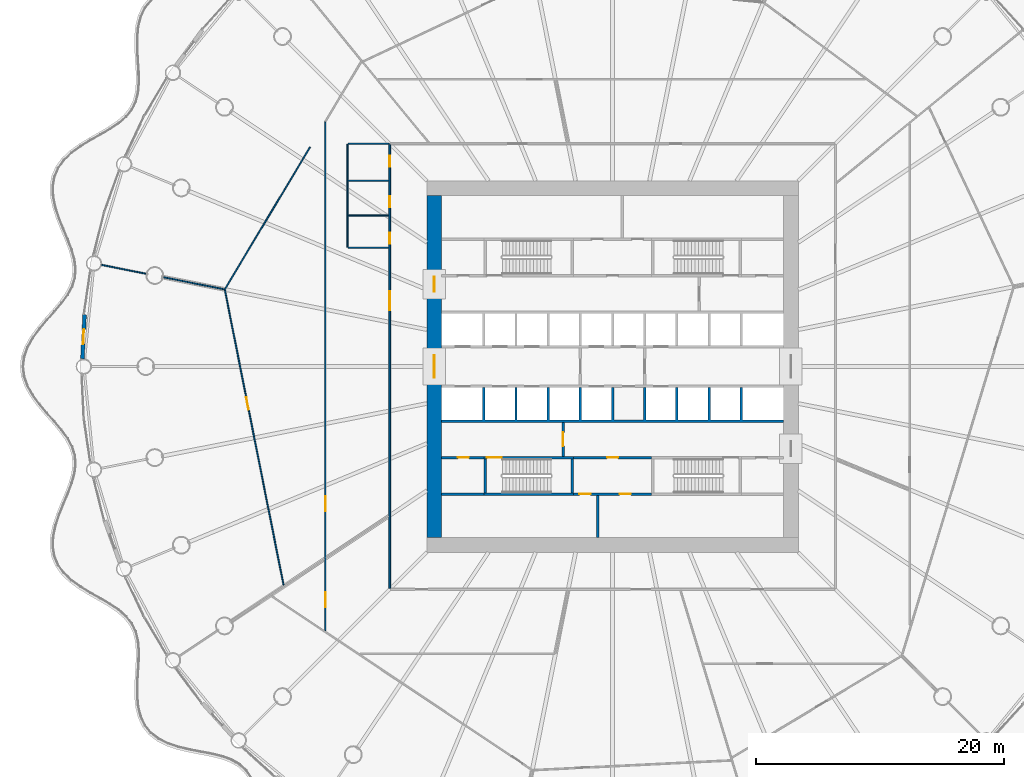
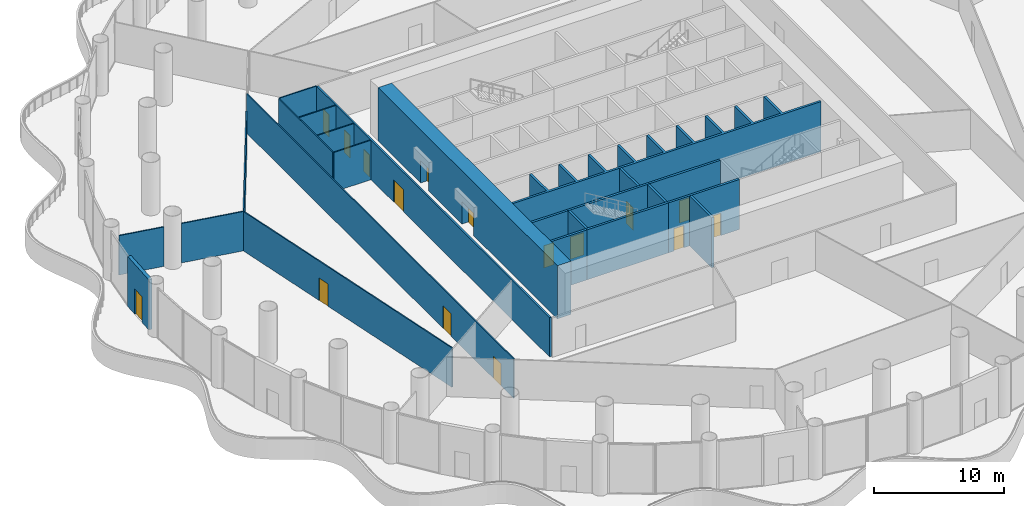
# One storey, part 23 of 35: 24 walls, 16 doors, 16 openings.
"""IFC4 building model written with IfcOpenShell, lengths in metres."""

from ifc_helpers import new_model, si_unit, direction, frame, frame_2d, origin, place, context, subcontext, project, spatial, polyline, rectangle, outline, extrude, material, layer, layer_set, type_object, element, fill, save


model = new_model("IFC4")

# Units and contexts
model_context = context("Model", 3, precision=1e-05, world=origin(), true_north=direction((0.0, 1.0)))
body_context = subcontext(model_context, "Body", "Model", "MODEL_VIEW")
ifc_project = project(units=[si_unit("LENGTHUNIT", "METRE"), si_unit("AREAUNIT", "SQUARE_METRE"), si_unit("VOLUMEUNIT", "CUBIC_METRE"), si_unit("PLANEANGLEUNIT", "RADIAN"), si_unit("MASSUNIT", "GRAM", prefix="KILO")], contexts=[model_context])

# Site, building, storey
site_placement = place(None, origin())
site = spatial("IfcSite", under=ifc_project, at=site_placement, CompositionType="ELEMENT")
building_placement = place(site_placement, origin())
building = spatial("IfcBuilding", under=site, at=building_placement, Name="Corvane Civic Tower", CompositionType="ELEMENT")
storey_placement = place(building_placement, frame((0.0, 0.0, 22.0)))
storey = spatial("IfcBuildingStorey", under=building, at=storey_placement, Name="L04", CompositionType="ELEMENT", Elevation=22.0)

# Wall, openings, doors
ifc_material_1 = material(Name="Concrete C80/95", Category="concrete")
ifc_layer_1 = layer(ifc_material_1, 1.199951171875)
ifc_layer_set_1 = layer_set([ifc_layer_1], Name="Concrete C80/95")
wall_type_1 = type_object("IfcWallType", Name="CORE WALL 1200 C80/95", PredefinedType="SHEAR", material=ifc_layer_set_1)
wall_1_placement = place(storey_placement, frame((-14.39990234375, -13.800048828125, 0.0), z_axis=(0.0, 0.0, 1.0), x_axis=(0.0, 1.0, 0.0)))
wall_1 = element("IfcWall", 1, at=wall_1_placement, inside=storey, type_object=wall_type_1, Name="W-L04-core-W", PredefinedType="SHEAR", context=body_context, shape_type="SweptSolid", body=[
    extrude(rectangle(XDim=27.60009765625, YDim=1.199951171875, at=frame_2d((13.800048828125, 0.0))), origin(), (0.0, 0.0, 1.0), 5.0),
])
opening_1_placement = place(wall_1_placement, frame((12.89990234375, 0.0, 0.0)))
opening_1 = element("IfcOpeningElement", 2, at=opening_1_placement, cuts=wall_1, Name="Opening L04.C20", PredefinedType="OPENING", context=body_context, shape_type="SweptSolid", body=[
    extrude(rectangle(XDim=1.800048828125, YDim=2.10009765625, at=frame_2d((0.89990234375, 1.050048828125))), frame((0.0, 0.60986328125, 0.0), z_axis=(0.0, -1.0, 0.0), x_axis=(1.0, 0.0, 0.0)), (0.0, 0.0, 1.0), 1.219970703125),
])
opening_2_placement = place(wall_1_placement, frame((19.85009765625, 0.0, 0.0)))
opening_2 = element("IfcOpeningElement", 3, at=opening_2_placement, cuts=wall_1, Name="Opening L04.C22", PredefinedType="OPENING", context=body_context, shape_type="SweptSolid", body=[
    extrude(rectangle(XDim=1.199951171875, YDim=2.10009765625, at=frame_2d((0.60009765625, 1.050048828125))), frame((0.0, 0.60986328125, 0.0), z_axis=(0.0, -1.0, 0.0), x_axis=(1.0, 0.0, 0.0)), (0.0, 0.0, 1.0), 1.219970703125),
])
ifc_material_2 = material(Name="Steel fire door leaf", Category="steel")
door_type_1 = type_object("IfcDoorType", Name="CR-DOOR-CORE-1800", OperationType="DOUBLE_DOOR_SINGLE_SWING", PredefinedType="DOOR", material=ifc_material_2)
door_1_placement = place(opening_1_placement, origin())
door_1 = element("IfcDoor", 4, at=door_1_placement, inside=storey, type_object=door_type_1, Name="L04 door", OperationType="DOUBLE_DOOR_SINGLE_SWING", OverallHeight=2.10009765625, OverallWidth=1.800048828125, PredefinedType="DOOR", context=body_context, shape_type="SweptSolid", body=[
    extrude(rectangle(XDim=1.800048828125, YDim=2.10009765625, at=frame_2d((0.89990234375, 1.050048828125))), frame((0.0, 0.02490234375, 0.0), z_axis=(0.0, -1.0, 0.0), x_axis=(1.0, 0.0, 0.0)), (0.0, 0.0, 1.0), 0.050048828125),
])
fill(opening_1, door_1)
door_2_placement = place(opening_2_placement, origin())
door_2 = element("IfcDoor", 5, at=door_2_placement, inside=storey, type_object=door_type_1, Name="L04 door", OperationType="DOUBLE_DOOR_SINGLE_SWING", OverallHeight=2.10009765625, OverallWidth=1.199951171875, PredefinedType="DOOR", context=body_context, shape_type="SweptSolid", body=[
    extrude(rectangle(XDim=1.199951171875, YDim=2.10009765625, at=frame_2d((0.60009765625, 1.050048828125))), frame((0.0, 0.02490234375, 0.0), z_axis=(0.0, -1.0, 0.0), x_axis=(1.0, 0.0, 0.0)), (0.0, 0.0, 1.0), 0.050048828125),
])
fill(opening_2, door_2)

ifc_material_3 = material(Name="Concrete C30/37", Category="concrete")
ifc_layer_2 = layer(ifc_material_3, 0.199951171875)
ifc_layer_set_2 = layer_set([ifc_layer_2], Name="Concrete C30/37")
wall_type_2 = type_object("IfcWallType", Name="CR-WALL-200", PredefinedType="PARTITIONING", material=ifc_layer_set_2)
wall_2_placement = place(storey_placement, frame((-3.14990234375, -10.300048828125, 0.0), z_axis=(0.0, 0.0, 1.0), x_axis=(1.0, 0.0, 0.0)))
wall_2 = element("IfcWall", 6, at=wall_2_placement, inside=storey, type_object=wall_type_2, Name="L04 partition wall", PredefinedType="PARTITIONING", context=body_context, shape_type="SweptSolid", body=[
    extrude(rectangle(XDim=6.2998046875, YDim=0.199951171875, at=frame_2d((3.14990234375, 0.0))), origin(), (0.0, 0.0, 1.0), 4.699951171875),
])
opening_3_placement = place(wall_2_placement, frame((0.47509765625, 0.0, 0.0)))
opening_3 = element("IfcOpeningElement", 7, at=opening_3_placement, cuts=wall_2, Name="Opening L04.C06", PredefinedType="OPENING", context=body_context, shape_type="SweptSolid", body=[
    extrude(rectangle(XDim=0.89990234375, YDim=2.10009765625, at=frame_2d((0.449951171875, 1.050048828125))), frame((0.0, 0.10986328125, 0.0), z_axis=(0.0, -1.0, 0.0), x_axis=(1.0, 0.0, 0.0)), (0.0, 0.0, 1.0), 0.219970703125),
])
opening_4_placement = place(wall_2_placement, frame((3.72509765625, 0.0, 0.0)))
opening_4 = element("IfcOpeningElement", 8, at=opening_4_placement, cuts=wall_2, Name="Opening L04.C07", PredefinedType="OPENING", context=body_context, shape_type="SweptSolid", body=[
    extrude(rectangle(XDim=0.89990234375, YDim=2.10009765625, at=frame_2d((0.449951171875, 1.050048828125))), frame((0.0, 0.10986328125, 0.0), z_axis=(0.0, -1.0, 0.0), x_axis=(1.0, 0.0, 0.0)), (0.0, 0.0, 1.0), 0.219970703125),
])
ifc_material_4 = material(Name="Steel fire door leaf", Category="steel")
door_type_2 = type_object("IfcDoorType", Name="CR-DOOR-900", OperationType="SINGLE_SWING_LEFT", PredefinedType="DOOR", material=ifc_material_4)
door_3_placement = place(opening_3_placement, origin())
door_3 = element("IfcDoor", 9, at=door_3_placement, inside=storey, type_object=door_type_2, Name="L04 door", OperationType="SINGLE_SWING_LEFT", OverallHeight=2.10009765625, OverallWidth=0.89990234375, PredefinedType="DOOR", context=body_context, shape_type="SweptSolid", body=[
    extrude(rectangle(XDim=0.89990234375, YDim=2.10009765625, at=frame_2d((0.449951171875, 1.050048828125))), frame((0.0, 0.02490234375, 0.0), z_axis=(0.0, -1.0, 0.0), x_axis=(1.0, 0.0, 0.0)), (0.0, 0.0, 1.0), 0.050048828125),
])
fill(opening_3, door_3)
door_4_placement = place(opening_4_placement, origin())
door_4 = element("IfcDoor", 10, at=door_4_placement, inside=storey, type_object=door_type_2, Name="L04 door", OperationType="SINGLE_SWING_LEFT", OverallHeight=2.10009765625, OverallWidth=0.89990234375, PredefinedType="DOOR", context=body_context, shape_type="SweptSolid", body=[
    extrude(rectangle(XDim=0.89990234375, YDim=2.10009765625, at=frame_2d((0.449951171875, 1.050048828125))), frame((0.0, 0.02490234375, 0.0), z_axis=(0.0, -1.0, 0.0), x_axis=(1.0, 0.0, 0.0)), (0.0, 0.0, 1.0), 0.050048828125),
])
fill(opening_4, door_4)

# Wall, opening, door
wall_3_placement = place(storey_placement, frame((-13.800048828125, -7.35009765625, 0.0), z_axis=(0.0, 0.0, 1.0), x_axis=(1.0, 0.0, 0.0)))
wall_3 = element("IfcWall", 11, at=wall_3_placement, inside=storey, type_object=wall_type_2, Name="L04 core partition wall", PredefinedType="PARTITIONING", context=body_context, shape_type="SweptSolid", body=[
    extrude(rectangle(XDim=3.400146484375, YDim=0.199951171875, at=frame_2d((1.7001953125, 0.0))), origin(), (0.0, 0.0, 1.0), 4.699951171875),
])
opening_5_placement = place(wall_3_placement, frame((1.300048828125, 0.0, 0.0)))
opening_5 = element("IfcOpeningElement", 12, at=opening_5_placement, cuts=wall_3, Name="Opening L04.C09", PredefinedType="OPENING", context=body_context, shape_type="SweptSolid", body=[
    extrude(rectangle(XDim=0.89990234375, YDim=2.10009765625, at=frame_2d((0.449951171875, 1.050048828125))), frame((0.0, 0.10986328125, 0.0), z_axis=(0.0, -1.0, 0.0), x_axis=(1.0, 0.0, 0.0)), (0.0, 0.0, 1.0), 0.219970703125),
])
door_5_placement = place(opening_5_placement, origin())
door_5 = element("IfcDoor", 13, at=door_5_placement, inside=storey, type_object=door_type_2, Name="L04 door", OperationType="SINGLE_SWING_LEFT", OverallHeight=2.10009765625, OverallWidth=0.89990234375, PredefinedType="DOOR", context=body_context, shape_type="SweptSolid", body=[
    extrude(rectangle(XDim=0.89990234375, YDim=2.10009765625, at=frame_2d((0.449951171875, 1.050048828125))), frame((0.0, 0.02490234375, 0.0), z_axis=(0.0, -1.0, 0.0), x_axis=(1.0, 0.0, 0.0)), (0.0, 0.0, 1.0), 0.050048828125),
])
fill(opening_5, door_5)

wall_4_placement = place(storey_placement, frame((-3.14990234375, -7.35009765625, 0.0), z_axis=(0.0, 0.0, 1.0), x_axis=(1.0, 0.0, 0.0)))
wall_4 = element("IfcWall", 14, at=wall_4_placement, inside=storey, type_object=wall_type_2, Name="L04 core partition wall", PredefinedType="PARTITIONING", context=body_context, shape_type="SweptSolid", body=[
    extrude(rectangle(XDim=6.2998046875, YDim=0.199951171875, at=frame_2d((3.14990234375, 0.0))), origin(), (0.0, 0.0, 1.0), 4.699951171875),
])
opening_6_placement = place(wall_4_placement, frame((2.699951171875, 0.0, 0.0)))
opening_6 = element("IfcOpeningElement", 15, at=opening_6_placement, cuts=wall_4, Name="Opening L04.C03", PredefinedType="OPENING", context=body_context, shape_type="SweptSolid", body=[
    extrude(rectangle(XDim=0.89990234375, YDim=2.10009765625, at=frame_2d((0.449951171875, 1.050048828125))), frame((0.0, 0.10986328125, 0.0), z_axis=(0.0, -1.0, 0.0), x_axis=(1.0, 0.0, 0.0)), (0.0, 0.0, 1.0), 0.219970703125),
])
door_6_placement = place(opening_6_placement, origin())
door_6 = element("IfcDoor", 16, at=door_6_placement, inside=storey, type_object=door_type_2, Name="L04 door", OperationType="SINGLE_SWING_LEFT", OverallHeight=2.10009765625, OverallWidth=0.89990234375, PredefinedType="DOOR", context=body_context, shape_type="SweptSolid", body=[
    extrude(rectangle(XDim=0.89990234375, YDim=2.10009765625, at=frame_2d((0.449951171875, 1.050048828125))), frame((0.0, 0.02490234375, 0.0), z_axis=(0.0, -1.0, 0.0), x_axis=(1.0, 0.0, 0.0)), (0.0, 0.0, 1.0), 0.050048828125),
])
fill(opening_6, door_6)

wall_5_placement = place(storey_placement, frame((-4.0, -7.25, 0.0), z_axis=(0.0, 0.0, 1.0), x_axis=(0.0, 1.0, 0.0)))
wall_5 = element("IfcWall", 17, at=wall_5_placement, inside=storey, type_object=wall_type_2, Name="L04 core partition wall", PredefinedType="PARTITIONING", context=body_context, shape_type="SweptSolid", body=[
    extrude(rectangle(XDim=2.75, YDim=0.199951171875, at=frame_2d((1.375, 0.0))), origin(), (0.0, 0.0, 1.0), 4.699951171875),
])
opening_7_placement = place(wall_5_placement, frame((0.824951171875, 0.0, 0.0)))
opening_7 = element("IfcOpeningElement", 18, at=opening_7_placement, cuts=wall_5, Name="Opening L04.C19", PredefinedType="OPENING", context=body_context, shape_type="SweptSolid", body=[
    extrude(rectangle(XDim=1.10009765625, YDim=2.10009765625, at=frame_2d((0.550048828125, 1.050048828125))), frame((0.0, 0.10986328125, 0.0), z_axis=(0.0, -1.0, 0.0), x_axis=(1.0, 0.0, 0.0)), (0.0, 0.0, 1.0), 0.219970703125),
])
ifc_material_5 = material(Name="Steel fire door leaf", Category="steel")
door_type_3 = type_object("IfcDoorType", Name="CR-DOOR-FFL-1100", OperationType="SINGLE_SWING_LEFT", PredefinedType="DOOR", material=ifc_material_5)
door_7_placement = place(opening_7_placement, origin())
door_7 = element("IfcDoor", 19, at=door_7_placement, inside=storey, type_object=door_type_3, Name="L04 lobby door", OperationType="SINGLE_SWING_LEFT", OverallHeight=2.10009765625, OverallWidth=1.10009765625, PredefinedType="DOOR", context=body_context, shape_type="SweptSolid", body=[
    extrude(rectangle(XDim=1.10009765625, YDim=2.10009765625, at=frame_2d((0.550048828125, 1.050048828125))), frame((0.0, 0.02490234375, 0.0), z_axis=(0.0, -1.0, 0.0), x_axis=(1.0, 0.0, 0.0)), (0.0, 0.0, 1.0), 0.050048828125),
])
fill(opening_7, door_7)

# Walls
wall_6_placement = place(storey_placement, origin())
element("IfcWall", 20, at=wall_6_placement, inside=storey, type_object=wall_type_2, Name="L04 core partition wall", PredefinedType="PARTITIONING", context=body_context, shape_type="SweptSolid", body=[
    extrude(outline(polyline([(-10.39990234375, -10.39990234375), (-13.800048828125, -10.39990234375), (-13.800048828125, -10.199951171875), (-10.39990234375, -10.199951171875), (-10.39990234375, -10.39990234375)])), origin(), (0.0, 0.0, 1.0), 4.699951171875),
])
wall_7_placement = place(storey_placement, origin())
element("IfcWall", 21, at=wall_7_placement, inside=storey, type_object=wall_type_2, Name="L04 core partition wall", PredefinedType="PARTITIONING", context=body_context, shape_type="SweptSolid", body=[
    extrude(outline(polyline([(-1.10009765625, -10.39990234375), (-1.10009765625, -13.800048828125), (-1.300048828125, -13.800048828125), (-1.300048828125, -10.39990234375), (-1.10009765625, -10.39990234375)])), origin(), (0.0, 0.0, 1.0), 4.699951171875),
])
wall_8_placement = place(storey_placement, origin())
element("IfcWall", 22, at=wall_8_placement, inside=storey, type_object=wall_type_2, Name="L04 core partition wall", PredefinedType="PARTITIONING", context=body_context, shape_type="SweptSolid", body=[
    extrude(outline(polyline([(-10.5, -1.699951171875), (-10.300048828125, -1.699951171875), (-10.300048828125, -4.300048828125), (-7.89990234375, -4.300048828125), (-7.89990234375, -1.699951171875), (-7.699951171875, -1.699951171875), (-7.699951171875, -4.300048828125), (-5.300048828125, -4.300048828125), (-5.300048828125, -1.699951171875), (-5.10009765625, -1.699951171875), (-5.10009765625, -4.300048828125), (-2.699951171875, -4.300048828125), (-2.699951171875, -1.699951171875), (-2.5, -1.699951171875), (-2.5, -4.300048828125), (-0.10009765625, -4.300048828125), (-0.10009765625, -1.699951171875), (0.10009765625, -1.699951171875), (0.10009765625, -4.300048828125), (2.5, -4.300048828125), (2.5, -1.699951171875), (2.699951171875, -1.699951171875), (2.699951171875, -4.300048828125), (5.10009765625, -4.300048828125), (5.10009765625, -1.699951171875), (5.300048828125, -1.699951171875), (5.300048828125, -4.300048828125), (7.699951171875, -4.300048828125), (7.699951171875, -1.699951171875), (7.89990234375, -1.699951171875), (7.89990234375, -4.300048828125), (10.300048828125, -4.300048828125), (10.300048828125, -1.699951171875), (10.5, -1.699951171875), (10.5, -4.300048828125), (13.800048828125, -4.300048828125), (13.800048828125, -4.5), (-13.800048828125, -4.5), (-13.800048828125, -4.300048828125), (-10.5, -4.300048828125), (-10.5, -1.699951171875)])), origin(), (0.0, 0.0, 1.0), 4.699951171875),
])

# Wall, opening, door
ifc_material_6 = material(Name="Terracotta cladding", Category="masonry")
ifc_layer_3 = layer(ifc_material_6, 0.300048828125)
ifc_layer_set_3 = layer_set([ifc_layer_3], Name="Terracotta cladding")
wall_type_3 = type_object("IfcWallType", Name="PODIUM-W-DRUMDOOR-300", PredefinedType="SOLIDWALL", material=ifc_layer_set_3)
wall_9_placement = place(storey_placement, frame((-42.81884765625, 0.6318359375, 0.0), z_axis=(0.0, 0.0, 1.0), x_axis=(0.049103014495, 0.998793719427, 0.0)))
wall_9 = element("IfcWall", 23, at=wall_9_placement, inside=storey, type_object=wall_type_3, Name="L04 drum door bay wall 25", PredefinedType="SOLIDWALL", context=body_context, shape_type="SweptSolid", body=[
    extrude(rectangle(XDim=3.56005859375, YDim=0.300048828125, at=frame_2d((1.780029296875, 0.0))), origin(), (0.0, 0.0, 1.0), 4.699951171875),
])
opening_8_placement = place(wall_9_placement, frame((1.179931640625, 0.0, 0.0)))
opening_8 = element("IfcOpeningElement", 24, at=opening_8_placement, cuts=wall_9, Name="Opening ED-L04-25", PredefinedType="OPENING", context=body_context, shape_type="SweptSolid", body=[
    extrude(rectangle(XDim=1.199951171875, YDim=2.39990234375, at=frame_2d((0.60009765625, 1.199951171875))), frame((0.0, 0.159912109375, 0.0), z_axis=(0.0, -1.0, 0.0), x_axis=(1.0, 0.0, 0.0)), (0.0, 0.0, 1.0), 0.320068359375),
])
ifc_material_7 = material(Name="Anodised aluminium and glass", Category="aluminium")
door_type_4 = type_object("IfcDoorType", Name="PODIUM-D-BALCONY-1200", OperationType="SINGLE_SWING_LEFT", PredefinedType="DOOR", material=ifc_material_7)
door_8_placement = place(opening_8_placement, origin())
door_8 = element("IfcDoor", 25, at=door_8_placement, inside=storey, type_object=door_type_4, Name="L04 balcony door 25", OperationType="SINGLE_SWING_LEFT", OverallHeight=2.39990234375, OverallWidth=1.199951171875, PredefinedType="DOOR", context=body_context, shape_type="SweptSolid", body=[
    extrude(rectangle(XDim=1.199951171875, YDim=2.39990234375, at=frame_2d((0.60009765625, 1.199951171875))), frame((0.0, 0.02490234375, 0.0), z_axis=(0.0, -1.0, 0.0), x_axis=(1.0, 0.0, 0.0)), (0.0, 0.0, 1.0), 0.050048828125),
])
fill(opening_8, door_8)

# Wall, openings, doors
ifc_material_8 = material(Name="Plasterboard")
ifc_layer_4 = layer(ifc_material_8, 0.10009765625)
ifc_layer_set_4 = layer_set([ifc_layer_4], Name="Plasterboard")
wall_type_4 = type_object("IfcWallType", Name="Partition 100 plasterboard on studs", PredefinedType="PARTITIONING", material=ifc_layer_set_4)
wall_10_placement = place(storey_placement, frame((-23.199951171875, -21.33740234375, 0.0), z_axis=(0.0, 0.0, 1.0), x_axis=(0.0, 1.0, 0.0)))
wall_10 = element("IfcWall", 26, at=wall_10_placement, inside=storey, type_object=wall_type_4, Name="Partition L04.014", PredefinedType="PARTITIONING", context=body_context, shape_type="SweptSolid", body=[
    extrude(rectangle(XDim=41.10693359375, YDim=0.10009765625, at=frame_2d((20.553466796875, 0.0))), origin(), (0.0, 0.0, 1.0), 3.699951171875),
])
opening_9_placement = place(wall_10_placement, frame((9.651611328125, 0.0, 0.0)))
opening_9 = element("IfcOpeningElement", 27, at=opening_9_placement, cuts=wall_10, Name="Opening L04.002", PredefinedType="OPENING", context=body_context, shape_type="SweptSolid", body=[
    extrude(rectangle(XDim=1.199951171875, YDim=2.10009765625, at=frame_2d((0.60009765625, 1.050048828125))), frame((0.0, 0.06005859375, 0.0), z_axis=(0.0, -1.0, 0.0), x_axis=(1.0, 0.0, 0.0)), (0.0, 0.0, 1.0), 0.1201171875),
])
opening_10_placement = place(wall_10_placement, frame((1.916015625, 0.0, 0.0)))
opening_10 = element("IfcOpeningElement", 28, at=opening_10_placement, cuts=wall_10, Name="Opening L04.023", PredefinedType="OPENING", context=body_context, shape_type="SweptSolid", body=[
    extrude(rectangle(XDim=1.199951171875, YDim=2.10009765625, at=frame_2d((0.60009765625, 1.050048828125))), frame((0.0, 0.06005859375, 0.0), z_axis=(0.0, -1.0, 0.0), x_axis=(1.0, 0.0, 0.0)), (0.0, 0.0, 1.0), 0.1201171875),
])
ifc_material_9 = material(Name="Timber", Category="wood")
door_type_5 = type_object("IfcDoorType", Name="Double door 1200", OperationType="NOTDEFINED", PredefinedType="DOOR", material=ifc_material_9)
door_9_placement = place(opening_9_placement, origin())
door_9 = element("IfcDoor", 29, at=door_9_placement, inside=storey, type_object=door_type_5, Name="Door L04.002", OperationType="DOUBLE_DOOR_SINGLE_SWING", OverallHeight=2.10009765625, OverallWidth=1.199951171875, PredefinedType="DOOR", context=body_context, shape_type="SweptSolid", body=[
    extrude(rectangle(XDim=1.199951171875, YDim=2.10009765625, at=frame_2d((0.60009765625, 1.050048828125))), frame((0.0, 0.02490234375, 0.0), z_axis=(0.0, -1.0, 0.0), x_axis=(1.0, 0.0, 0.0)), (0.0, 0.0, 1.0), 0.050048828125),
])
fill(opening_9, door_9)
door_10_placement = place(opening_10_placement, origin())
door_10 = element("IfcDoor", 30, at=door_10_placement, inside=storey, type_object=door_type_5, Name="Door L04.023", OperationType="DOUBLE_DOOR_SINGLE_SWING", OverallHeight=2.10009765625, OverallWidth=1.199951171875, PredefinedType="DOOR", context=body_context, shape_type="SweptSolid", body=[
    extrude(rectangle(XDim=1.199951171875, YDim=2.10009765625, at=frame_2d((0.60009765625, 1.050048828125))), frame((0.0, 0.02490234375, 0.0), z_axis=(0.0, -1.0, 0.0), x_axis=(1.0, 0.0, 0.0)), (0.0, 0.0, 1.0), 0.050048828125),
])
fill(opening_10, door_10)

# Wall, opening, door
wall_11_placement = place(storey_placement, frame((-31.316650390625, 6.19775390625, 0.0), z_axis=(0.0, 0.0, 1.0), x_axis=(0.195079987606, -0.980787335989, 0.0)))
wall_11 = element("IfcWall", 31, at=wall_11_placement, inside=storey, type_object=wall_type_4, Name="Partition L04.021", PredefinedType="PARTITIONING", context=body_context, shape_type="SweptSolid", body=[
    extrude(rectangle(XDim=24.335205078125, YDim=0.10009765625, at=frame_2d((12.16748046875, 0.0))), origin(), (0.0, 0.0, 1.0), 3.699951171875),
])
opening_11_placement = place(wall_11_placement, frame((8.855712890625, 0.0, 0.0)))
opening_11 = element("IfcOpeningElement", 32, at=opening_11_placement, cuts=wall_11, Name="Opening L04.001", PredefinedType="OPENING", context=body_context, shape_type="SweptSolid", body=[
    extrude(rectangle(XDim=1.0, YDim=2.10009765625, at=frame_2d((0.5, 1.050048828125))), frame((0.0, 0.06005859375, 0.0), z_axis=(0.0, -1.0, 0.0), x_axis=(1.0, 0.0, 0.0)), (0.0, 0.0, 1.0), 0.1201171875),
])
ifc_material_10 = material(Name="Timber", Category="wood")
door_type_6 = type_object("IfcDoorType", Name="Single door 1000", OperationType="NOTDEFINED", PredefinedType="DOOR", material=ifc_material_10)
door_11_placement = place(opening_11_placement, frame((1.0, 0.0, 0.0), z_axis=(0.0, 0.0, 1.0), x_axis=(-1.0, 0.0, 0.0)))
door_11 = element("IfcDoor", 33, at=door_11_placement, inside=storey, type_object=door_type_6, Name="Door L04.001", OperationType="SINGLE_SWING_LEFT", OverallHeight=2.10009765625, OverallWidth=1.0, PredefinedType="DOOR", context=body_context, shape_type="SweptSolid", body=[
    extrude(rectangle(XDim=1.0, YDim=2.10009765625, at=frame_2d((0.5, 1.050048828125))), frame((0.0, 0.02490234375, 0.0), z_axis=(0.0, -1.0, 0.0), x_axis=(1.0, 0.0, 0.0)), (0.0, 0.0, 1.0), 0.050048828125),
])
fill(opening_11, door_11)

# Walls
wall_12_placement = place(storey_placement, frame((-36.279296875, 7.21630859375, 0.0), z_axis=(0.0, 0.0, 1.0), x_axis=(0.980787763181, -0.195077839835, 0.0)))
element("IfcWall", 34, at=wall_12_placement, inside=storey, type_object=wall_type_4, Name="Partition L04.024", PredefinedType="PARTITIONING", context=body_context, shape_type="SweptSolid", body=[
    extrude(rectangle(XDim=5.019775390625, YDim=0.10009765625, at=frame_2d((2.509765625, 0.0))), origin(), (0.0, 0.0, 1.0), 3.699951171875),
])
wall_13_placement = place(storey_placement, frame((-41.281494140625, 8.21142578125, 0.0), z_axis=(0.0, 0.0, 1.0), x_axis=(0.980784256727, -0.195095468315, 0.0)))
element("IfcWall", 35, at=wall_13_placement, inside=storey, type_object=wall_type_4, Name="Partition L04.027", PredefinedType="PARTITIONING", context=body_context, shape_type="SweptSolid", body=[
    extrude(rectangle(XDim=3.680419921875, YDim=0.10009765625, at=frame_2d((1.84033203125, 0.0))), origin(), (0.0, 0.0, 1.0), 3.699951171875),
])
wall_14_placement = place(storey_placement, frame((-21.35009765625, 9.60009765625, 0.0), z_axis=(0.0, 0.0, 1.0), x_axis=(1.0, 0.0, 0.0)))
element("IfcWall", 36, at=wall_14_placement, inside=storey, type_object=wall_type_4, Name="Partition L04.029", PredefinedType="PARTITIONING", context=body_context, shape_type="SweptSolid", body=[
    extrude(rectangle(XDim=3.275146484375, YDim=0.10009765625, at=frame_2d((1.6376953125, 0.0))), origin(), (0.0, 0.0, 1.0), 3.699951171875),
])
wall_15_placement = place(storey_placement, frame((-21.39990234375, 9.64990234375, 0.0), z_axis=(0.0, 0.0, 1.0), x_axis=(0.0, 1.0, 0.0)))
element("IfcWall", 37, at=wall_15_placement, inside=storey, type_object=wall_type_4, Name="Partition L04.030", PredefinedType="PARTITIONING", context=body_context, shape_type="SweptSolid", body=[
    extrude(rectangle(XDim=8.300048828125, YDim=0.10009765625, at=frame_2d((4.14990234375, 0.0))), origin(), (0.0, 0.0, 1.0), 3.699951171875),
])
for number, where, z_axis, x_axis, name in (
    (38, (-21.35009765625, 12.199951171875, 0.0), (0.0, 0.0, 1.0), (1.0, 0.0, 0.0), "Partition L04.031"),
    (39, (-21.35009765625, 15.0, 0.0), (0.0, 0.0, 1.0), (1.0, 0.0, 0.0), "Partition L04.033"),
):
    element("IfcWall", number, at=place(storey_placement, frame(where, z_axis=z_axis, x_axis=x_axis)), inside=storey, type_object=wall_type_4, Name=name, PredefinedType="PARTITIONING", context=body_context, shape_type="SweptSolid", body=[
        extrude(rectangle(XDim=3.275146484375, YDim=0.10009765625, at=frame_2d((1.6376953125, 0.0))), origin(), (0.0, 0.0, 1.0), 3.699951171875),
    ])
wall_16_placement = place(storey_placement, frame((-21.35009765625, 18.0, 0.0), z_axis=(0.0, 0.0, 1.0), x_axis=(1.0, 0.0, 0.0)))
element("IfcWall", 40, at=wall_16_placement, inside=storey, type_object=wall_type_4, Name="Partition L04.034", PredefinedType="PARTITIONING", context=body_context, shape_type="SweptSolid", body=[
    extrude(rectangle(XDim=3.300048828125, YDim=0.10009765625, at=frame_2d((1.64990234375, 0.0))), origin(), (0.0, 0.0, 1.0), 3.699951171875),
])
wall_17_placement = place(storey_placement, frame((-31.3232421875, 6.230712890625, 0.0), z_axis=(0.0, 0.0, 1.0), x_axis=(0.514104722533, 0.857727424226, 0.0)))
element("IfcWall", 41, at=wall_17_placement, inside=storey, type_object=wall_type_4, Name="Partition L04.048", PredefinedType="PARTITIONING", context=body_context, shape_type="SweptSolid", body=[
    extrude(rectangle(XDim=13.406982421875, YDim=0.10009765625, at=frame_2d((6.70361328125, 0.0))), origin(), (0.0, 0.0, 1.0), 3.699951171875),
])

# Wall, opening, door
ifc_material_11 = material(Name="Concrete C50/60", Category="concrete")
ifc_layer_5 = layer(ifc_material_11, 0.199951171875)
ifc_layer_set_5 = layer_set([ifc_layer_5], Name="Concrete C50/60")
wall_type_5 = type_object("IfcWallType", Name="ST-WALL-200", PredefinedType="SHEAR", material=ifc_layer_set_5)
wall_18_placement = place(storey_placement, frame((-10.39990234375, -7.35009765625, 0.0), z_axis=(0.0, 0.0, 1.0), x_axis=(1.0, 0.0, 0.0)))
wall_18 = element("IfcWall", 42, at=wall_18_placement, inside=storey, type_object=wall_type_5, Name="L04 stair enclosure wall", PredefinedType="SHEAR", context=body_context, shape_type="SweptSolid", body=[
    extrude(rectangle(XDim=7.25, YDim=0.199951171875, at=frame_2d((3.625, 0.0))), origin(), (0.0, 0.0, 1.0), 4.699951171875),
])
opening_12_placement = place(wall_18_placement, frame((0.25, 0.0, 0.0)))
opening_12 = element("IfcOpeningElement", 43, at=opening_12_placement, cuts=wall_18, Name="Opening L04.C15", PredefinedType="OPENING", context=body_context, shape_type="SweptSolid", body=[
    extrude(rectangle(XDim=1.199951171875, YDim=2.10009765625, at=frame_2d((0.60009765625, 1.050048828125))), frame((0.0, 0.10986328125, 0.0), z_axis=(0.0, -1.0, 0.0), x_axis=(1.0, 0.0, 0.0)), (0.0, 0.0, 1.0), 0.219970703125),
])
ifc_material_12 = material(Name="Steel fire door leaf", Category="steel")
door_type_7 = type_object("IfcDoorType", Name="ST-DOOR-1200", OperationType="SINGLE_SWING_RIGHT", PredefinedType="DOOR", material=ifc_material_12)
door_12_placement = place(opening_12_placement, origin())
door_12 = element("IfcDoor", 44, at=door_12_placement, inside=storey, type_object=door_type_7, Name="L04 stair door", OperationType="SINGLE_SWING_RIGHT", OverallHeight=2.10009765625, OverallWidth=1.199951171875, PredefinedType="DOOR", context=body_context, shape_type="SweptSolid", body=[
    extrude(rectangle(XDim=1.199951171875, YDim=2.10009765625, at=frame_2d((0.60009765625, 1.050048828125))), frame((0.0, 0.02490234375, 0.0), z_axis=(0.0, -1.0, 0.0), x_axis=(1.0, 0.0, 0.0)), (0.0, 0.0, 1.0), 0.050048828125),
])
fill(opening_12, door_12)

# Walls
wall_19_placement = place(storey_placement, origin())
element("IfcWall", 45, at=wall_19_placement, inside=storey, type_object=wall_type_5, Name="L04 stair enclosure wall", PredefinedType="SHEAR", context=body_context, shape_type="SweptSolid", body=[
    extrude(outline(polyline([(-3.14990234375, -10.199951171875), (-3.14990234375, -10.39990234375), (-10.39990234375, -10.39990234375), (-10.39990234375, -10.199951171875), (-3.14990234375, -10.199951171875)])), origin(), (0.0, 0.0, 1.0), 4.699951171875),
])
wall_20_placement = place(storey_placement, origin())
element("IfcWall", 46, at=wall_20_placement, inside=storey, type_object=wall_type_5, Name="L04 stair enclosure wall", PredefinedType="SHEAR", context=body_context, shape_type="SweptSolid", body=[
    extrude(outline(polyline([(-3.14990234375, -7.449951171875), (-3.14990234375, -10.199951171875), (-3.35009765625, -10.199951171875), (-3.35009765625, -7.449951171875), (-3.14990234375, -7.449951171875)])), origin(), (0.0, 0.0, 1.0), 4.699951171875),
])
wall_21_placement = place(storey_placement, origin())
element("IfcWall", 47, at=wall_21_placement, inside=storey, type_object=wall_type_5, Name="L04 stair enclosure wall", PredefinedType="SHEAR", context=body_context, shape_type="SweptSolid", body=[
    extrude(outline(polyline([(-10.199951171875, -7.449951171875), (-10.199951171875, -10.199951171875), (-10.39990234375, -10.199951171875), (-10.39990234375, -7.449951171875), (-10.199951171875, -7.449951171875)])), origin(), (0.0, 0.0, 1.0), 4.699951171875),
])

# Wall, openings, doors
ifc_material_13 = material(Name="Plasterboard")
ifc_layer_6 = layer(ifc_material_13, 0.14990234375)
ifc_layer_set_6 = layer_set([ifc_layer_6], Name="Plasterboard")
wall_type_6 = type_object("IfcWallType", Name="Tenancy wall 150 EI 60", PredefinedType="PARTITIONING", material=ifc_layer_set_6)
wall_22_placement = place(storey_placement, frame((-18.0, -17.925048828125, 0.0), z_axis=(0.0, 0.0, 1.0), x_axis=(0.0, 1.0, 0.0)))
wall_22 = element("IfcWall", 48, at=wall_22_placement, inside=storey, type_object=wall_type_6, Name="Partition L04.019", PredefinedType="PARTITIONING", context=body_context, shape_type="SweptSolid", body=[
    extrude(rectangle(XDim=35.85009765625, YDim=0.14990234375, at=frame_2d((17.925048828125, 0.0))), origin(), (0.0, 0.0, 1.0), 3.699951171875),
])
opening_13_placement = place(wall_22_placement, frame((22.489013671875, 0.0, 0.0)))
opening_13 = element("IfcOpeningElement", 49, at=opening_13_placement, cuts=wall_22, Name="Opening L04.003", PredefinedType="OPENING", context=body_context, shape_type="SweptSolid", body=[
    extrude(rectangle(XDim=1.5, YDim=2.10009765625, at=frame_2d((0.75, 1.050048828125))), frame((0.0, 0.0849609375, 0.0), z_axis=(0.0, -1.0, 0.0), x_axis=(1.0, 0.0, 0.0)), (0.0, 0.0, 1.0), 0.169921875),
])
opening_14_placement = place(wall_22_placement, frame((34.065185546875, 0.0, 0.0)))
opening_14 = element("IfcOpeningElement", 50, at=opening_14_placement, cuts=wall_22, Name="Opening L04.004", PredefinedType="OPENING", context=body_context, shape_type="SweptSolid", body=[
    extrude(rectangle(XDim=0.89990234375, YDim=2.10009765625, at=frame_2d((0.449951171875, 1.050048828125))), frame((0.0, 0.0849609375, 0.0), z_axis=(0.0, -1.0, 0.0), x_axis=(1.0, 0.0, 0.0)), (0.0, 0.0, 1.0), 0.169921875),
])
opening_15_placement = place(wall_22_placement, frame((30.80029296875, 0.0, 0.0)))
opening_15 = element("IfcOpeningElement", 51, at=opening_15_placement, cuts=wall_22, Name="Opening L04.005", PredefinedType="OPENING", context=body_context, shape_type="SweptSolid", body=[
    extrude(rectangle(XDim=0.89990234375, YDim=2.10009765625, at=frame_2d((0.449951171875, 1.050048828125))), frame((0.0, 0.0849609375, 0.0), z_axis=(0.0, -1.0, 0.0), x_axis=(1.0, 0.0, 0.0)), (0.0, 0.0, 1.0), 0.169921875),
])
opening_16_placement = place(wall_22_placement, frame((27.83837890625, 0.0, 0.0)))
opening_16 = element("IfcOpeningElement", 52, at=opening_16_placement, cuts=wall_22, Name="Opening L04.006", PredefinedType="OPENING", context=body_context, shape_type="SweptSolid", body=[
    extrude(rectangle(XDim=0.89990234375, YDim=2.10009765625, at=frame_2d((0.449951171875, 1.050048828125))), frame((0.0, 0.0849609375, 0.0), z_axis=(0.0, -1.0, 0.0), x_axis=(1.0, 0.0, 0.0)), (0.0, 0.0, 1.0), 0.169921875),
])
ifc_material_14 = material(Name="Steel and timber", Category="steel")
door_type_8 = type_object("IfcDoorType", Name="Fire door FD30S 900", OperationType="NOTDEFINED", PredefinedType="DOOR", material=ifc_material_14)
door_13_placement = place(opening_14_placement, origin())
door_13 = element("IfcDoor", 53, at=door_13_placement, inside=storey, type_object=door_type_8, Name="Door L04.004", OperationType="SINGLE_SWING_LEFT", OverallHeight=2.10009765625, OverallWidth=0.89990234375, PredefinedType="DOOR", context=body_context, shape_type="SweptSolid", body=[
    extrude(rectangle(XDim=0.89990234375, YDim=2.10009765625, at=frame_2d((0.449951171875, 1.050048828125))), frame((0.0, 0.02490234375, 0.0), z_axis=(0.0, -1.0, 0.0), x_axis=(1.0, 0.0, 0.0)), (0.0, 0.0, 1.0), 0.050048828125),
])
fill(opening_14, door_13)
door_14_placement = place(opening_15_placement, origin())
door_14 = element("IfcDoor", 54, at=door_14_placement, inside=storey, type_object=door_type_8, Name="Door L04.005", OperationType="SINGLE_SWING_LEFT", OverallHeight=2.10009765625, OverallWidth=0.89990234375, PredefinedType="DOOR", context=body_context, shape_type="SweptSolid", body=[
    extrude(rectangle(XDim=0.89990234375, YDim=2.10009765625, at=frame_2d((0.449951171875, 1.050048828125))), frame((0.0, 0.02490234375, 0.0), z_axis=(0.0, -1.0, 0.0), x_axis=(1.0, 0.0, 0.0)), (0.0, 0.0, 1.0), 0.050048828125),
])
fill(opening_15, door_14)
door_15_placement = place(opening_16_placement, origin())
door_15 = element("IfcDoor", 55, at=door_15_placement, inside=storey, type_object=door_type_8, Name="Door L04.006", OperationType="SINGLE_SWING_RIGHT", OverallHeight=2.10009765625, OverallWidth=0.89990234375, PredefinedType="DOOR", context=body_context, shape_type="SweptSolid", body=[
    extrude(rectangle(XDim=0.89990234375, YDim=2.10009765625, at=frame_2d((0.449951171875, 1.050048828125))), frame((0.0, 0.02490234375, 0.0), z_axis=(0.0, -1.0, 0.0), x_axis=(1.0, 0.0, 0.0)), (0.0, 0.0, 1.0), 0.050048828125),
])
fill(opening_16, door_15)
ifc_material_15 = material(Name="Steel and timber", Category="steel")
door_type_9 = type_object("IfcDoorType", Name="Fire door FD60 double 1500", OperationType="NOTDEFINED", PredefinedType="DOOR", material=ifc_material_15)
door_16_placement = place(opening_13_placement, origin())
door_16 = element("IfcDoor", 56, at=door_16_placement, inside=storey, type_object=door_type_9, Name="Door L04.003", OperationType="DOUBLE_DOOR_SINGLE_SWING", OverallHeight=2.10009765625, OverallWidth=1.5, PredefinedType="DOOR", context=body_context, shape_type="SweptSolid", body=[
    extrude(rectangle(XDim=1.5, YDim=2.10009765625, at=frame_2d((0.75, 1.050048828125))), frame((0.0, 0.02490234375, 0.0), z_axis=(0.0, -1.0, 0.0), x_axis=(1.0, 0.0, 0.0)), (0.0, 0.0, 1.0), 0.050048828125),
])
fill(opening_13, door_16)

save(model, "model.ifc")
